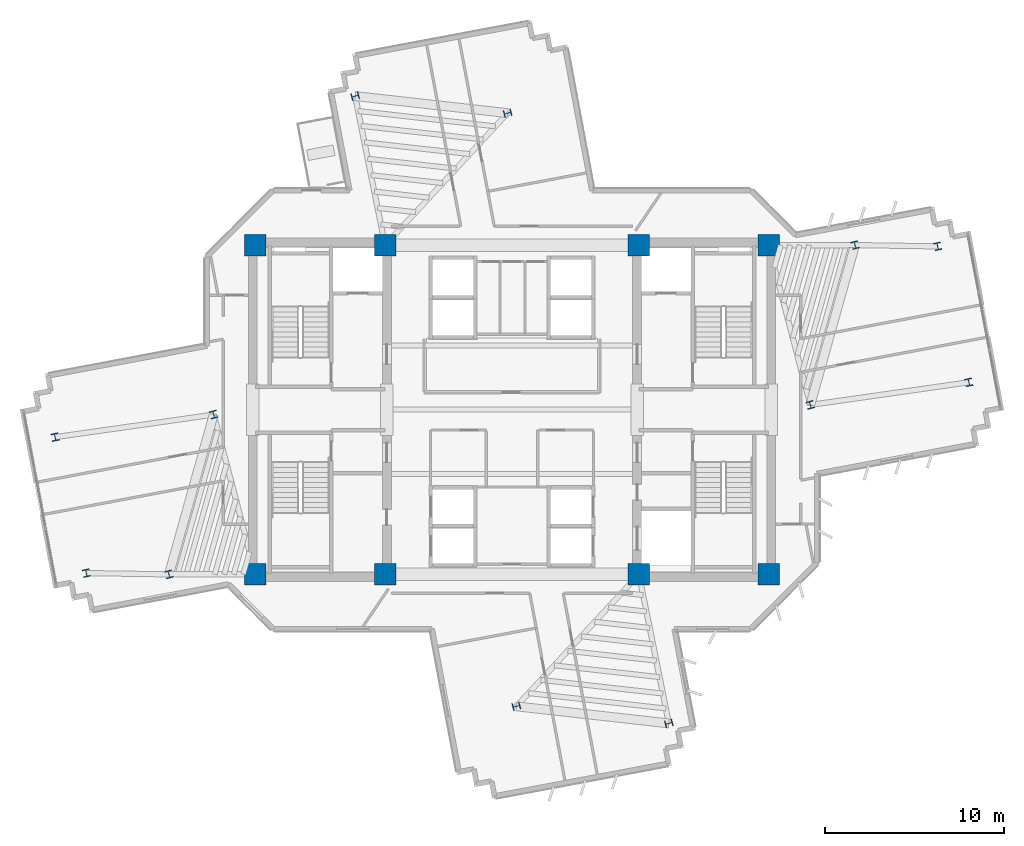
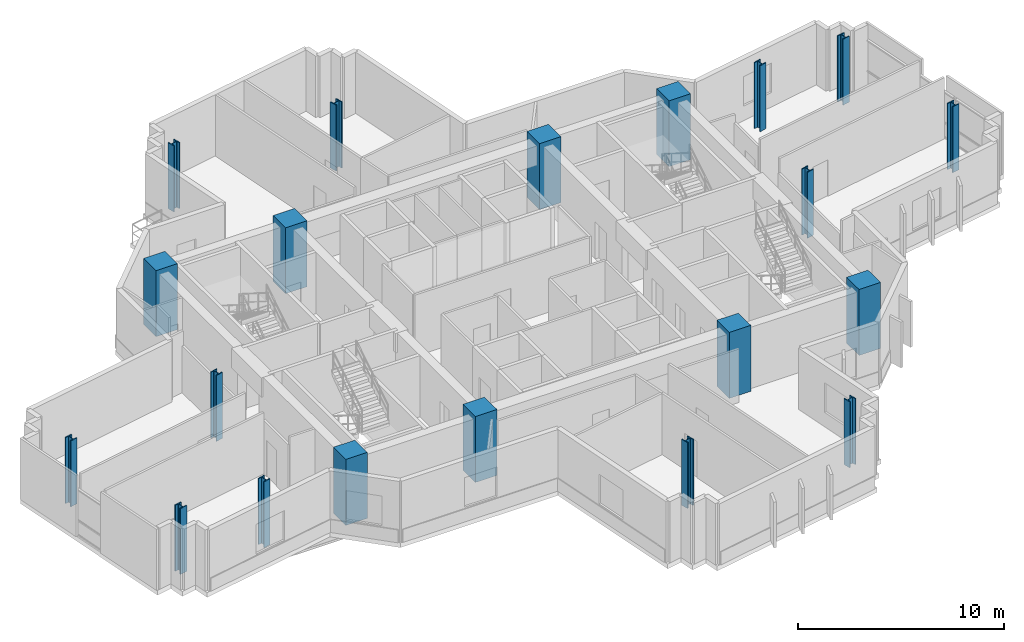
# One storey, part 1 of 16: 20 columns.
"""IFC4 building model written with IfcOpenShell, lengths in metres."""

from ifc_helpers import new_model, si_unit, direction, frame, origin, origin_2d, place, context, subcontext, project, spatial, rectangle, i_section, extrude, source, transform, mapped, material, material_profile, profile_set, type_object, element, save


model = new_model("IFC4")

# Units and contexts
model_context = context("Model", 3, precision=1e-05, world=origin(), true_north=direction((0.0, 1.0)))
body_context = subcontext(model_context, "Body", "Model", "MODEL_VIEW")
ifc_project = project(units=[si_unit("LENGTHUNIT", "METRE"), si_unit("AREAUNIT", "SQUARE_METRE"), si_unit("VOLUMEUNIT", "CUBIC_METRE"), si_unit("PLANEANGLEUNIT", "RADIAN"), si_unit("MASSUNIT", "GRAM", prefix="KILO")], contexts=[model_context])

# Site, building, storey
site_placement = place(None, origin())
site = spatial("IfcSite", under=ifc_project, at=site_placement, CompositionType="ELEMENT")
building_placement = place(site_placement, origin())
building = spatial("IfcBuilding", under=site, at=building_placement, Name="Zahravan Cultural Tower", CompositionType="ELEMENT")
storey_placement = place(building_placement, frame((0.0, 0.0, 151.199951171875)))
storey = spatial("IfcBuildingStorey", under=building, at=storey_placement, Name="L34", CompositionType="ELEMENT", Elevation=151.199951171875)

# Columns
ifc_material_1 = material(Name="Concrete C50/60", Category="concrete")
ifc_material_profile_1 = material_profile(ifc_material_1, rectangle(XDim=1.199951171875, YDim=1.199951171875, at=origin_2d()), Name="RC1200X1200")
ifc_profile_set_1 = profile_set([ifc_material_profile_1], Name="Concrete C50/60")
column_type_1 = type_object("IfcColumnType", Name="COL-RC1200", PredefinedType="COLUMN", material=ifc_profile_set_1)
shared_shape_1 = source(origin(), body_context, "Body", "SweptSolid", [
    extrude(rectangle(XDim=1.199951171875, YDim=1.199951171875, at=origin_2d()), origin(), (0.0, 0.0, 1.0), 3.900146484375),
])
for number, where, z_axis, x_axis, name in (
    (1, (21.64990234375, 17.800048828125, 0.0), (0.0, 0.0, 1.0), (1.0, 0.0, 0.0), "L34 Column CC-W1"),
    (2, (28.89990234375, 17.800048828125, 0.0), (0.0, 0.0, 1.0), (1.0, 0.0, 0.0), "L34 Column CC-W2"),
    (3, (21.64990234375, 36.199951171875, 0.0), (0.0, 0.0, 1.0), (1.0, 0.0, 0.0), "L34 Column CC-W3"),
    (4, (28.89990234375, 36.199951171875, 0.0), (0.0, 0.0, 1.0), (1.0, 0.0, 0.0), "L34 Column CC-W4"),
    (5, (43.10009765625, 17.800048828125, 0.0), (0.0, 0.0, 1.0), (1.0, 0.0, 0.0), "L34 Column CC-E1"),
    (6, (50.35009765625, 17.800048828125, 0.0), (0.0, 0.0, 1.0), (1.0, 0.0, 0.0), "L34 Column CC-E2"),
    (7, (43.10009765625, 36.199951171875, 0.0), (0.0, 0.0, 1.0), (1.0, 0.0, 0.0), "L34 Column CC-E3"),
    (8, (50.35009765625, 36.199951171875, 0.0), (0.0, 0.0, 1.0), (1.0, 0.0, 0.0), "L34 Column CC-E4"),
):
    element("IfcColumn", number, at=place(storey_placement, frame(where, z_axis=z_axis, x_axis=x_axis)), inside=storey, type_object=column_type_1, Name=name, PredefinedType="COLUMN", context=body_context, shape_type="MappedRepresentation", body=[
        mapped(shared_shape_1, transform((0.0, 0.0, 0.0), x_axis=(1.0, 0.0, 0.0), y_axis=(0.0, 1.0, 0.0), z_axis=(0.0, 0.0, 1.0), scale=1.0)),
    ])
ifc_material_2 = material(Name="Steel ASTM A992 Grade 50", Category="steel")
ifc_material_profile_2 = material_profile(ifc_material_2, i_section(OverallWidth=0.412109375, OverallDepth=0.43505859375, WebThickness=0.035888671875, FlangeThickness=0.057373046875, FilletRadius=0.01806640625, at=origin_2d()), Name="W14X311")
ifc_profile_set_2 = profile_set([ifc_material_profile_2], Name="Steel ASTM A992 Grade 50")
column_type_2 = type_object("IfcColumnType", Name="COL-W14X311", PredefinedType="COLUMN", material=ifc_profile_set_2)
shared_shape_2 = source(origin(), body_context, "Body", "SweptSolid", [
    extrude(i_section(OverallWidth=0.412109375, OverallDepth=0.43505859375, WebThickness=0.035888671875, FlangeThickness=0.057373046875, FilletRadius=0.01806640625, at=origin_2d()), origin(), (0.0, 0.0, 1.0), 3.900146484375),
])
for number, where, z_axis, x_axis, name in (
    (9, (52.684326171875, 27.27099609375, 0.0), (0.0, 0.0, 1.0), (0.966823388604, 0.255445757936, 0.0), "L34 Column Z2C-E1"),
    (10, (55.184814453125, 36.2060546875, 0.0), (0.0, 0.0, 1.0), (0.966823388604, 0.255445757936, 0.0), "L34 Column Z2C-E2"),
    (11, (35.754638671875, 43.587646484375, 0.0), (0.0, 0.0, 1.0), (-0.255445757936, 0.966823388604, 0.0), "L34 Column Z2C-N1"),
    (12, (27.22802734375, 44.541259765625, 0.0), (0.0, 0.0, 1.0), (-0.255445757936, 0.966823388604, 0.0), "L34 Column Z2C-N2"),
    (13, (19.315673828125, 26.72900390625, 0.0), (0.0, 0.0, 1.0), (0.966823388604, 0.255445757936, 0.0), "L34 Column Z2C-W1"),
    (14, (16.815185546875, 17.7939453125, 0.0), (0.0, 0.0, 1.0), (0.966823388604, 0.255445757936, 0.0), "L34 Column Z2C-W2"),
    (15, (36.245361328125, 10.412353515625, 0.0), (0.0, 0.0, 1.0), (-0.255445757936, 0.966823388604, 0.0), "L34 Column Z2C-S1"),
    (16, (44.77197265625, 9.458740234375, 0.0), (0.0, 0.0, 1.0), (-0.255445757936, 0.966823388604, 0.0), "L34 Column Z2C-S2"),
    (17, (61.552734375, 28.53466796875, 0.0), (0.0, 0.0, 1.0), (0.977415894286, 0.211324796455, 0.0), "L34 Column Z2T-E1"),
    (18, (59.806640625, 36.13720703125, 0.0), (0.0, 0.0, 1.0), (0.977415894286, 0.211324796455, 0.0), "L34 Column Z2T-E2"),
    (19, (10.447265625, 25.46533203125, 0.0), (0.0, 0.0, 1.0), (0.977415894286, 0.211324796455, 0.0), "L34 Column Z2T-W1"),
    (20, (12.193359375, 17.86279296875, 0.0), (0.0, 0.0, 1.0), (0.977415894286, 0.211324796455, 0.0), "L34 Column Z2T-W2"),
):
    element("IfcColumn", number, at=place(storey_placement, frame(where, z_axis=z_axis, x_axis=x_axis)), inside=storey, type_object=column_type_2, Name=name, PredefinedType="COLUMN", context=body_context, shape_type="MappedRepresentation", body=[
        mapped(shared_shape_2, transform((0.0, 0.0, 0.0), x_axis=(1.0, 0.0, 0.0), y_axis=(0.0, 1.0, 0.0), z_axis=(0.0, 0.0, 1.0), scale=1.0)),
    ])

save(model, "model.ifc")
